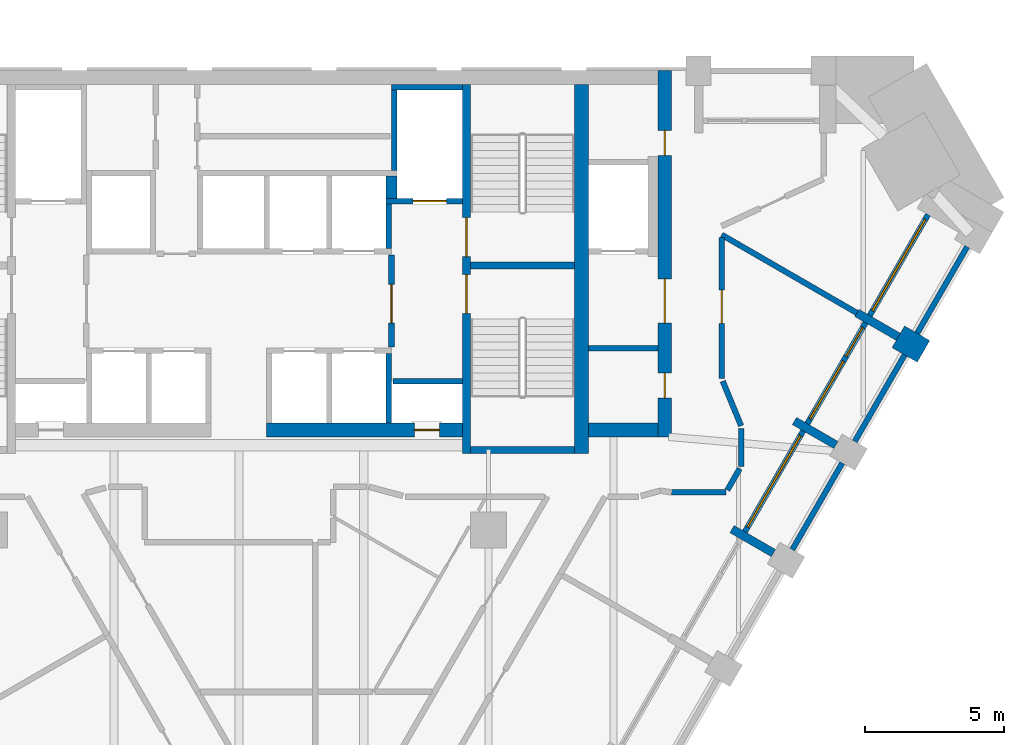
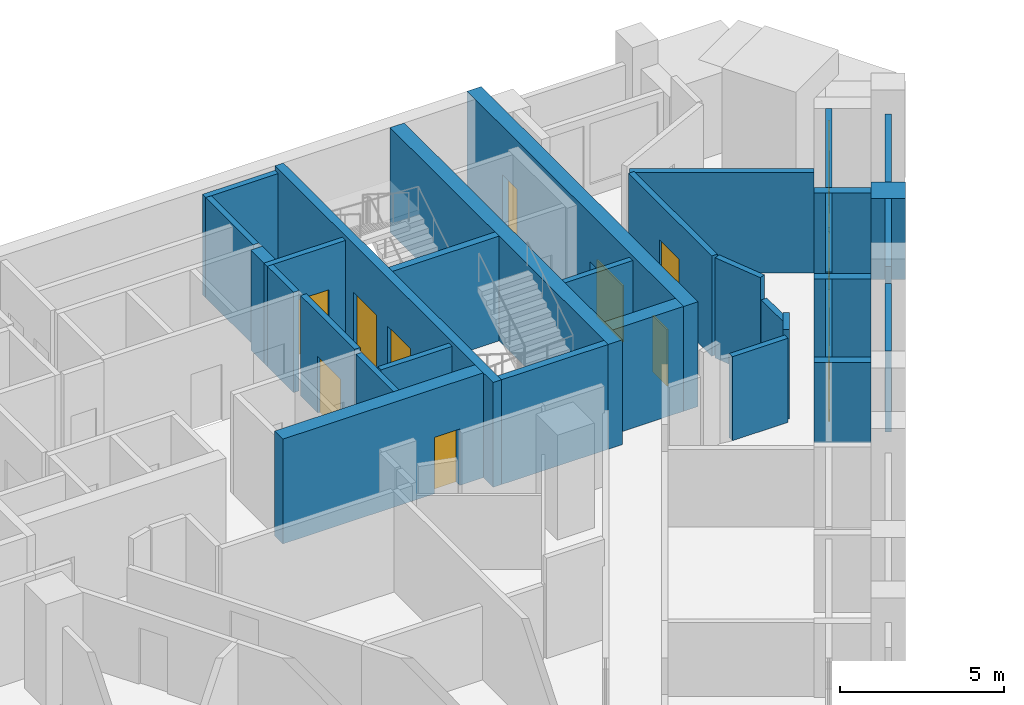
# One storey, part 7 of 10: 32 walls, 10 doors, 3 windows, 13 openings.
"""IFC4 building model written with IfcOpenShell, lengths in metres."""

import ifcopenshell
import ifcopenshell.guid

model = None  # the IFC model being written
_history = None  # IfcOwnerHistory: only IFC2X3 demands one
_inside = {}  # id of a spatial element -> (the spatial element, [elements in it])
_under = {}  # id of a project, library or spatial element -> (it, [spatial elements below it])
_declared = {}  # id of a project -> (the project, [libraries it declares])
_typed = {}  # id of a type object -> (the type object, [elements of that type])
_made_of = {}  # id of a material, layer set ... -> (it, [elements and type objects made of it])


def new_model(schema):
    """Start an empty IFC model of exactly this schema.

    Asked for "IFC4X3", IfcOpenShell would pick the latest addendum, in which some entities
    have other attributes; the version numbers below select the first issue.
    IFC2X3 requires an IfcOwnerHistory on every rooted entity: one is made here for all.
    """
    global model, _history
    if schema == "IFC4X3":
        model = ifcopenshell.file(schema_version=(4, 3, 0, 0))
    else:
        model = ifcopenshell.file(schema=schema)
    _inside.clear()
    _under.clear()
    _declared.clear()
    _typed.clear()
    _made_of.clear()
    _history = None
    if model.schema == "IFC2X3":
        org = make("IfcOrganization", Name="unknown")
        user = make(
            "IfcPersonAndOrganization",
            ThePerson=make("IfcPerson", FamilyName="unknown"),
            TheOrganization=org,
        )
        app = make(
            "IfcApplication",
            ApplicationDeveloper=org,
            Version="unknown",
            ApplicationFullName="unknown",
            ApplicationIdentifier="unknown",
        )
        _history = make(
            "IfcOwnerHistory",
            OwningUser=user,
            OwningApplication=app,
            ChangeAction="ADDED",
            CreationDate=0,
        )
    return model


def make(cls, **values):
    """One entity of the class cls with the attributes given. An attribute that is None is left unset."""
    return model.create_entity(
        cls, **{name: value for name, value in values.items() if value is not None}
    )


def rooted(cls, **values):
    """An entity with a GlobalId (a new one), such as an element, a storey or a relation."""
    return make(cls, GlobalId=ifcopenshell.guid.new(), OwnerHistory=_history, **values)


def si_unit(unit_type, name, prefix=None):
    """IfcSIUnit, for example si_unit("LENGTHUNIT", "METRE", prefix="MILLI")."""
    return make("IfcSIUnit", UnitType=unit_type, Prefix=prefix, Name=name)


def assignment(units):
    """IfcUnitAssignment: the units of a project."""
    return None if units is None else make("IfcUnitAssignment", Units=units)


def point(xyz):
    """IfcCartesianPoint."""
    return None if xyz is None else make("IfcCartesianPoint", Coordinates=xyz)


def direction(xyz):
    """IfcDirection."""
    return None if xyz is None else make("IfcDirection", DirectionRatios=xyz)


def frame(location, z_axis=None, x_axis=None):
    """IfcAxis2Placement3D, a coordinate frame: its origin and axes. An axis left out is left unset."""
    return make(
        "IfcAxis2Placement3D",
        Location=point(location),
        Axis=direction(z_axis),
        RefDirection=direction(x_axis),
    )


def frame_2d(location, x_axis=None):
    """IfcAxis2Placement2D, a coordinate frame in the plane: its origin and x axis."""
    return make(
        "IfcAxis2Placement2D", Location=point(location), RefDirection=direction(x_axis)
    )


def origin():
    """The frame at (0, 0, 0) with its axes left unset."""
    return frame((0.0, 0.0, 0.0))


def place(relative_to, where):
    """IfcLocalPlacement: puts the frame where relative to a parent placement (None: the world)."""
    return make(
        "IfcLocalPlacement", PlacementRelTo=relative_to, RelativePlacement=where
    )


def context(
    kind, dimensions, precision=None, world=None, true_north=None, identifier=None
):
    """IfcGeometricRepresentationContext, for example the 3D "Model" context."""
    return make(
        "IfcGeometricRepresentationContext",
        ContextIdentifier=identifier,
        ContextType=kind,
        CoordinateSpaceDimension=dimensions,
        Precision=precision,
        WorldCoordinateSystem=world,
        TrueNorth=true_north,
    )


def subcontext(parent, identifier, kind, view, scale=None):
    """IfcGeometricRepresentationSubContext, for example "Body" below "Model"."""
    return make(
        "IfcGeometricRepresentationSubContext",
        ContextIdentifier=identifier,
        ContextType=kind,
        ParentContext=parent,
        TargetScale=scale,
        TargetView=view,
    )


def project(units=None, contexts=None):
    """IfcProject with its units and contexts."""
    return rooted(
        "IfcProject",
        Name="project",
        RepresentationContexts=contexts,
        UnitsInContext=assignment(units),
    )


def spatial(cls, under=None, at=None, **own):
    """A site, building, storey or space (cls), placed at a placement, below another one or the project."""
    s = rooted(cls, ObjectPlacement=at, **own)
    if under is not None:
        _under.setdefault(under.id(), (under, []))[1].append(s)
    return s


def profile(cls, at=None, kind="AREA", **sizes):
    """A parametric profile (cls). Its sizes go by their IFC names, for example OverallWidth=200.0."""
    return make(cls, ProfileType=kind, Position=at, **sizes)


def rectangle(**sizes):
    """IfcRectangleProfileDef."""
    return profile("IfcRectangleProfileDef", **sizes)


def extrude(swept, where, along, depth):
    """IfcExtrudedAreaSolid: the profile swept, set in the frame where, extruded along a direction by depth."""
    return make(
        "IfcExtrudedAreaSolid",
        SweptArea=swept,
        Position=where,
        ExtrudedDirection=direction(along),
        Depth=depth,
    )


def shape(context_of_items, identifier, shape_type, items):
    """IfcShapeRepresentation: the items that make up one representation, for example the "Body"."""
    return make(
        "IfcShapeRepresentation",
        ContextOfItems=context_of_items,
        RepresentationIdentifier=identifier,
        RepresentationType=shape_type,
        Items=items,
    )


def material(Name=None, Category=None):
    """IfcMaterial."""
    return make("IfcMaterial", Name=Name, Category=Category)


def layer(
    of_material, thickness, ventilated=None, Name=None, Category=None, Priority=None
):
    """IfcMaterialLayer: one layer of a wall or slab, of a material (None: an air gap)."""
    return make(
        "IfcMaterialLayer",
        Material=of_material,
        LayerThickness=thickness,
        IsVentilated=ventilated,
        Name=Name,
        Category=Category,
        Priority=Priority,
    )


def layer_set(layers, Name=None):
    """IfcMaterialLayerSet."""
    return make("IfcMaterialLayerSet", MaterialLayers=layers, LayerSetName=Name)


def made_of(thing, what):
    """Note that an element or type object is made of a material, layer set ...; save() writes the relation."""
    if what is not None:
        _made_of.setdefault(what.id(), (what, []))[1].append(thing)
    return thing


def type_object(cls, material=None, **own):
    """A type object (cls), such as IfcWallType, which elements share."""
    return made_of(rooted(cls, **own), material)


def element(
    cls,
    number,
    at=None,
    inside=None,
    cuts=None,
    type_object=None,
    material=None,
    context=None,
    identifier="Body",
    shape_type=None,
    held_by="IfcProductDefinitionShape",
    body=None,
    shapes=None,
    **own,
):
    """One element of the class cls, such as IfcWall. Its Tag is "e" and its number.

    at: its placement. inside: the storey or other place that contains it. cuts: it is an
    opening in that element (IfcRelVoidsElement). A single representation is given by context,
    identifier, shape_type and body (its items); several are given by shapes. held_by: the class
    of the entity that holds the representations. save() writes the other relations.
    """
    e = rooted(cls, Tag="e%d" % number, ObjectPlacement=at, **own)
    if body is not None:
        shapes = [shape(context, identifier, shape_type, body)]
    if shapes is not None:
        e.Representation = make(held_by, Representations=shapes)
    if inside is not None:
        _inside.setdefault(inside.id(), (inside, []))[1].append(e)
    if cuts is not None:
        rooted(
            "IfcRelVoidsElement", RelatingBuildingElement=cuts, RelatedOpeningElement=e
        )
    if type_object is not None:
        _typed.setdefault(type_object.id(), (type_object, []))[1].append(e)
    return made_of(e, material)


def fill(opening, filler):
    """IfcRelFillsElement: the door or window that sits in an opening."""
    return rooted(
        "IfcRelFillsElement",
        RelatingOpeningElement=opening,
        RelatedBuildingElement=filler,
    )


def aggregate(whole, parts):
    """IfcRelAggregates: a whole, such as a stair, and the parts it consists of."""
    return rooted("IfcRelAggregates", RelatingObject=whole, RelatedObjects=parts)


def save(model, path):
    """Write the relations noted so far, then the file.

    IfcRelAggregates (storeys below a building ...), IfcRelContainedInSpatialStructure (elements
    in a storey), IfcRelDefinesByType, IfcRelAssociatesMaterial and IfcRelDeclares: one each for
    every whole, place, type object, material and project.
    """
    for whole, parts in _under.values():
        aggregate(whole, parts)
    for where, things in _inside.values():
        rooted(
            "IfcRelContainedInSpatialStructure",
            RelatedElements=things,
            RelatingStructure=where,
        )
    for kind, things in _typed.values():
        rooted("IfcRelDefinesByType", RelatedObjects=things, RelatingType=kind)
    for what, things in _made_of.values():
        rooted("IfcRelAssociatesMaterial", RelatedObjects=things, RelatingMaterial=what)
    for by, libraries in _declared.values():
        rooted("IfcRelDeclares", RelatingContext=by, RelatedDefinitions=libraries)
    model.write(path)


model = new_model("IFC4")

# Units and contexts
model_context = context("Model", 3, precision=1e-05, world=origin(), true_north=direction((0.0, 1.0)))
body_context = subcontext(model_context, "Body", "Model", "MODEL_VIEW")
ifc_project = project(units=[si_unit("LENGTHUNIT", "METRE"), si_unit("AREAUNIT", "SQUARE_METRE"), si_unit("VOLUMEUNIT", "CUBIC_METRE"), si_unit("PLANEANGLEUNIT", "RADIAN"), si_unit("MASSUNIT", "GRAM", prefix="KILO")], contexts=[model_context])

# Site, building, storey
site_placement = place(None, origin())
site = spatial("IfcSite", under=ifc_project, at=site_placement, CompositionType="ELEMENT")
building_placement = place(site_placement, origin())
building = spatial("IfcBuilding", under=site, at=building_placement, Name="Calabash Gate Tower", CompositionType="ELEMENT")
storey_placement = place(building_placement, frame((0.0, 0.0, 183.60009765625)))
storey = spatial("IfcBuildingStorey", under=building, at=storey_placement, Name="L43", CompositionType="ELEMENT", Elevation=183.60009765625)

# Walls
ifc_material_1 = material(Name="Terracotta brick masonry, exposed face", Category="masonry")
ifc_layer_1 = layer(ifc_material_1, 1.050048828125)
ifc_layer_set_1 = layer_set([ifc_layer_1], Name="Brick end wall 1050")
wall_type_1 = type_object("IfcWallType", Name="Brick end wall 1050", PredefinedType="SOLIDWALL", material=ifc_layer_set_1)
wall_1_placement = place(storey_placement, frame((24.67626953125, 8.93505859375, 0.0), z_axis=(0.0, 0.0, 1.0), x_axis=(-0.866030680601, 0.499990860175, 0.0)))
element("IfcWall", 1, at=wall_1_placement, inside=storey, type_object=wall_type_1, Name="Brick pier S12 SE4.7", PredefinedType="SOLIDWALL", context=body_context, shape_type="SweptSolid", body=[
    extrude(rectangle(XDim=1.0498046875, YDim=0.89990234375, at=frame_2d((0.52490234375, 0.0))), origin(), (0.0, 0.0, 1.0), 3.0),
])
ifc_material_2 = material(Name="Terracotta brick masonry, exposed face", Category="masonry")
ifc_layer_2 = layer(ifc_material_2, 0.300048828125)
ifc_layer_set_2 = layer_set([ifc_layer_2], Name="Brick loggia cheek wall 300")
wall_type_2 = type_object("IfcWallType", Name="Brick loggia cheek wall 300", PredefinedType="SOLIDWALL", material=ifc_layer_set_2)
wall_2_placement = place(storey_placement, frame((19.26708984375, 1.665771484375, 0.0), z_axis=(0.0, 0.0, 1.0), x_axis=(-0.866013532718, 0.500020560727, 0.0)))
element("IfcWall", 2, at=wall_2_placement, inside=storey, type_object=wall_type_2, Name="Loggia cheek S12 SE4.5", PredefinedType="SOLIDWALL", context=body_context, shape_type="SweptSolid", body=[
    extrude(rectangle(XDim=1.72509765625, YDim=0.300048828125, at=frame_2d((0.862548828125, 0.0))), origin(), (0.0, 0.0, 1.0), 3.0),
])
wall_3_placement = place(storey_placement, frame((21.51708984375, 5.56298828125, 0.0), z_axis=(0.0, 0.0, 1.0), x_axis=(-0.866013532718, 0.500020560727, 0.0)))
element("IfcWall", 3, at=wall_3_placement, inside=storey, type_object=wall_type_2, Name="Loggia cheek S12 SE4.6", PredefinedType="SOLIDWALL", context=body_context, shape_type="SweptSolid", body=[
    extrude(rectangle(XDim=1.72509765625, YDim=0.300048828125, at=frame_2d((0.862548828125, 0.0))), origin(), (0.0, 0.0, 1.0), 2.949951171875),
])
wall_4_placement = place(storey_placement, frame((23.76708984375, 9.4599609375, 0.0), z_axis=(0.0, 0.0, 1.0), x_axis=(-0.866013532718, 0.500020560727, 0.0)))
element("IfcWall", 4, at=wall_4_placement, inside=storey, type_object=wall_type_2, Name="Loggia cheek S12 SE4.7", PredefinedType="SOLIDWALL", context=body_context, shape_type="SweptSolid", body=[
    extrude(rectangle(XDim=1.72509765625, YDim=0.300048828125, at=frame_2d((0.862548828125, 0.0))), origin(), (0.0, 0.0, 1.0), 3.0),
])
ifc_material_3 = material(Name="Gypsum board on steel studs, mineral wool", Category="steel")
ifc_layer_3 = layer(ifc_material_3, 0.199951171875)
ifc_layer_set_3 = layer_set([ifc_layer_3], Name="Core partition 200 gypsum board")
wall_type_3 = type_object("IfcWallType", Name="Core partition 200 gypsum board", PredefinedType="PARTITIONING", material=ifc_layer_set_3)
wall_5_placement = place(storey_placement, frame((12.60009765625, 9.052490234375, 0.0), z_axis=(0.0, 0.0, 1.0), x_axis=(1.0, 0.0, 0.0)))
element("IfcWall", 5, at=wall_5_placement, inside=storey, type_object=wall_type_3, Name="Core partition", PredefinedType="PARTITIONING", context=body_context, shape_type="SweptSolid", body=[
    extrude(rectangle(XDim=2.5, YDim=0.199951171875, at=frame_2d((1.25, 0.0))), origin(), (0.0, 0.0, 1.0), 3.72998046875),
])
ifc_material_4 = material(Name="Concrete C70/85", Category="concrete")
ifc_layer_4 = layer(ifc_material_4, 0.25)
ifc_layer_set_4 = layer_set([ifc_layer_4], Name="Core wall 250 Concrete C70/85")
wall_type_4 = type_object("IfcWallType", Name="Core wall 250 Concrete C70/85", PredefinedType="SHEAR", material=ifc_layer_set_4)
for number, where, z_axis, x_axis, name in (
    (6, (8.35009765625, 12.027587890625, 0.0), (0.0, 0.0, 1.0), (1.0, 0.0, 0.0), "Core wall Z3-MIDE L43"),
    (7, (8.35009765625, 5.377685546875, 0.0), (0.0, 0.0, 1.0), (1.0, 0.0, 0.0), "Core wall Z3-SSE L43"),
):
    element("IfcWall", number, at=place(storey_placement, frame(where, z_axis=z_axis, x_axis=x_axis)), inside=storey, type_object=wall_type_4, Name=name, PredefinedType="SHEAR", context=body_context, shape_type="SweptSolid", body=[
        extrude(rectangle(XDim=3.75, YDim=0.25, at=frame_2d((1.875, 0.0))), origin(), (0.0, 0.0, 1.0), 3.89990234375),
    ])

# Wall, openings, doors
ifc_material_5 = material(Name="Concrete C70/85", Category="concrete")
ifc_layer_5 = layer(ifc_material_5, 0.300048828125)
ifc_layer_set_5 = layer_set([ifc_layer_5], Name="Core wall 300 Concrete C70/85")
wall_type_5 = type_object("IfcWallType", Name="Core wall 300 Concrete C70/85", PredefinedType="SHEAR", material=ifc_layer_set_5)
wall_6_placement = place(storey_placement, frame((8.199951171875, 5.252685546875, 0.0), z_axis=(0.0, 0.0, 1.0), x_axis=(0.0, 1.0, 0.0)))
wall_6 = element("IfcWall", 8, at=wall_6_placement, inside=storey, type_object=wall_type_5, Name="Core wall Z3-PARTE L43", PredefinedType="SHEAR", context=body_context, shape_type="SweptSolid", body=[
    extrude(rectangle(XDim=13.2998046875, YDim=0.300048828125, at=frame_2d((6.64990234375, 0.0))), origin(), (0.0, 0.0, 1.0), 3.89990234375),
])
opening_1_placement = place(wall_6_placement, frame((7.10009765625, 0.0, 0.0)))
opening_1 = element("IfcOpeningElement", 9, at=opening_1_placement, cuts=wall_6, Name="Opening O4-017", PredefinedType="OPENING", context=body_context, shape_type="SweptSolid", body=[
    extrude(rectangle(XDim=1.39990234375, YDim=2.10009765625, at=frame_2d((0.699951171875, 1.050048828125))), frame((0.0, 0.159912109375, 0.0), z_axis=(0.0, -1.0, 0.0), x_axis=(1.0, 0.0, 0.0)), (0.0, 0.0, 1.0), 0.320068359375),
])
opening_2_placement = place(wall_6_placement, frame((5.050048828125, 0.0, 0.0)))
opening_2 = element("IfcOpeningElement", 10, at=opening_2_placement, cuts=wall_6, Name="Opening O4-018", PredefinedType="OPENING", context=body_context, shape_type="SweptSolid", body=[
    extrude(rectangle(XDim=1.39990234375, YDim=2.10009765625, at=frame_2d((0.699951171875, 1.050048828125))), frame((0.0, 0.159912109375, 0.0), z_axis=(0.0, -1.0, 0.0), x_axis=(1.0, 0.0, 0.0)), (0.0, 0.0, 1.0), 0.320068359375),
])
ifc_material_6 = material(Name="Steel fire door set with fire-resisting glazing", Category="steel")
door_type_1 = type_object("IfcDoorType", Name="Fire door D05 1400x2100 FD90", OperationType="NOTDEFINED", PredefinedType="DOOR", material=ifc_material_6)
door_1_placement = place(opening_1_placement, origin())
door_1 = element("IfcDoor", 11, at=door_1_placement, inside=storey, type_object=door_type_1, Name="Exit stair door ST3", OperationType="SINGLE_SWING_RIGHT", OverallHeight=2.10009765625, OverallWidth=1.39990234375, PredefinedType="DOOR", context=body_context, shape_type="SweptSolid", body=[
    extrude(rectangle(XDim=1.39990234375, YDim=2.10009765625, at=frame_2d((0.699951171875, 1.050048828125))), frame((0.0, 0.02490234375, 0.0), z_axis=(0.0, -1.0, 0.0), x_axis=(1.0, 0.0, 0.0)), (0.0, 0.0, 1.0), 0.050048828125),
])
fill(opening_1, door_1)
door_2_placement = place(opening_2_placement, origin())
door_2 = element("IfcDoor", 12, at=door_2_placement, inside=storey, type_object=door_type_1, Name="Exit stair door ST4", OperationType="SINGLE_SWING_LEFT", OverallHeight=2.10009765625, OverallWidth=1.39990234375, PredefinedType="DOOR", context=body_context, shape_type="SweptSolid", body=[
    extrude(rectangle(XDim=1.39990234375, YDim=2.10009765625, at=frame_2d((0.699951171875, 1.050048828125))), frame((0.0, 0.02490234375, 0.0), z_axis=(0.0, -1.0, 0.0), x_axis=(1.0, 0.0, 0.0)), (0.0, 0.0, 1.0), 0.050048828125),
])
fill(opening_2, door_2)

# Wall
ifc_material_7 = material(Name="Concrete C70/85", Category="concrete")
ifc_layer_6 = layer(ifc_material_7, 0.5)
ifc_layer_set_6 = layer_set([ifc_layer_6], Name="Core wall 500 Concrete C70/85")
wall_type_6 = type_object("IfcWallType", Name="Core wall 500 Concrete C70/85", PredefinedType="SHEAR", material=ifc_layer_set_6)
wall_7_placement = place(storey_placement, frame((12.35009765625, 5.252685546875, 0.0), z_axis=(0.0, 0.0, 1.0), x_axis=(0.0, 1.0, 0.0)))
element("IfcWall", 13, at=wall_7_placement, inside=storey, type_object=wall_type_6, Name="Core wall Z3-COLE L43", PredefinedType="SHEAR", context=body_context, shape_type="SweptSolid", body=[
    extrude(rectangle(XDim=13.2998046875, YDim=0.5, at=frame_2d((6.64990234375, 0.0))), origin(), (0.0, 0.0, 1.0), 3.89990234375),
])

# Wall, opening, door
wall_8_placement = place(storey_placement, frame((1.0, 6.1025390625, 0.0), z_axis=(0.0, 0.0, 1.0), x_axis=(1.0, 0.0, 0.0)))
wall_8 = element("IfcWall", 14, at=wall_8_placement, inside=storey, type_object=wall_type_6, Name="Core wall Z3-SB L43", PredefinedType="SHEAR", context=body_context, shape_type="SweptSolid", body=[
    extrude(rectangle(XDim=7.050048828125, YDim=0.5, at=frame_2d((3.52490234375, 0.0))), origin(), (0.0, 0.0, 1.0), 3.89990234375),
])
opening_3_placement = place(wall_8_placement, frame((5.324951171875, 0.0, 0.0)))
opening_3 = element("IfcOpeningElement", 15, at=opening_3_placement, cuts=wall_8, Name="Opening O4-013", PredefinedType="OPENING", context=body_context, shape_type="SweptSolid", body=[
    extrude(rectangle(XDim=0.89990234375, YDim=2.10009765625, at=frame_2d((0.449951171875, 1.050048828125))), frame((0.0, 0.260009765625, 0.0), z_axis=(0.0, -1.0, 0.0), x_axis=(1.0, 0.0, 0.0)), (0.0, 0.0, 1.0), 0.52001953125),
])
ifc_material_8 = material(Name="Steel fire door set with fire-resisting glazing", Category="steel")
door_type_2 = type_object("IfcDoorType", Name="Fire door D07 900x2100 FD90", OperationType="NOTDEFINED", PredefinedType="DOOR", material=ifc_material_8)
door_3_placement = place(opening_3_placement, origin())
door_3 = element("IfcDoor", 16, at=door_3_placement, inside=storey, type_object=door_type_2, Name="Mechanical Riser E door", OperationType="SINGLE_SWING_RIGHT", OverallHeight=2.10009765625, OverallWidth=0.89990234375, PredefinedType="DOOR", context=body_context, shape_type="SweptSolid", body=[
    extrude(rectangle(XDim=0.89990234375, YDim=2.10009765625, at=frame_2d((0.449951171875, 1.050048828125))), frame((0.0, 0.02490234375, 0.0), z_axis=(0.0, -1.0, 0.0), x_axis=(1.0, 0.0, 0.0)), (0.0, 0.0, 1.0), 0.050048828125),
])
fill(opening_3, door_3)

# Wall
wall_9_placement = place(storey_placement, frame((12.60009765625, 6.1025390625, 0.0), z_axis=(0.0, 0.0, 1.0), x_axis=(1.0, 0.0, 0.0)))
element("IfcWall", 17, at=wall_9_placement, inside=storey, type_object=wall_type_6, Name="Core wall Z3-SE L43", PredefinedType="SHEAR", context=body_context, shape_type="SweptSolid", body=[
    extrude(rectangle(XDim=2.5, YDim=0.5, at=frame_2d((1.25, 0.0))), origin(), (0.0, 0.0, 1.0), 3.89990234375),
])

# Wall, openings, doors
wall_10_placement = place(storey_placement, frame((15.35009765625, 5.8525390625, 0.0), z_axis=(0.0, 0.0, 1.0), x_axis=(0.0, 1.0, 0.0)))
wall_10 = element("IfcWall", 18, at=wall_10_placement, inside=storey, type_object=wall_type_6, Name="Core wall Z3-ENDE L43", PredefinedType="SHEAR", context=body_context, shape_type="SweptSolid", body=[
    extrude(rectangle(XDim=13.199951171875, YDim=0.5, at=frame_2d((6.60009765625, 0.0))), origin(), (0.0, 0.0, 1.0), 3.89990234375),
])
opening_4_placement = place(wall_10_placement, frame((4.10009765625, 0.0, 0.0)))
opening_4 = element("IfcOpeningElement", 19, at=opening_4_placement, cuts=wall_10, Name="Opening O4-003", PredefinedType="OPENING", context=body_context, shape_type="SweptSolid", body=[
    extrude(rectangle(XDim=1.60009765625, YDim=2.10009765625, at=frame_2d((0.800048828125, 1.050048828125))), frame((0.0, 0.260009765625, 0.0), z_axis=(0.0, -1.0, 0.0), x_axis=(1.0, 0.0, 0.0)), (0.0, 0.0, 1.0), 0.52001953125),
])
opening_5_placement = place(wall_10_placement, frame((1.39990234375, 0.0, 0.0)))
opening_5 = element("IfcOpeningElement", 20, at=opening_5_placement, cuts=wall_10, Name="Opening O4-001", PredefinedType="OPENING", context=body_context, shape_type="SweptSolid", body=[
    extrude(rectangle(XDim=0.89990234375, YDim=2.10009765625, at=frame_2d((0.449951171875, 1.050048828125))), frame((0.0, 0.260009765625, 0.0), z_axis=(0.0, -1.0, 0.0), x_axis=(1.0, 0.0, 0.0)), (0.0, 0.0, 1.0), 0.52001953125),
])
opening_6_placement = place(wall_10_placement, frame((10.14990234375, 0.0, 0.0)))
opening_6 = element("IfcOpeningElement", 21, at=opening_6_placement, cuts=wall_10, Name="Opening O4-002", PredefinedType="OPENING", context=body_context, shape_type="SweptSolid", body=[
    extrude(rectangle(XDim=0.89990234375, YDim=2.10009765625, at=frame_2d((0.449951171875, 1.050048828125))), frame((0.0, 0.260009765625, 0.0), z_axis=(0.0, -1.0, 0.0), x_axis=(1.0, 0.0, 0.0)), (0.0, 0.0, 1.0), 0.52001953125),
])
ifc_material_9 = material(Name="Steel fire door set with fire-resisting glazing", Category="steel")
door_type_3 = type_object("IfcDoorType", Name="Double fire door D08 1600x2100 FD60", OperationType="DOUBLE_DOOR_SINGLE_SWING", PredefinedType="DOOR", material=ifc_material_9)
door_4_placement = place(opening_4_placement, origin())
door_4 = element("IfcDoor", 22, at=door_4_placement, inside=storey, type_object=door_type_3, Name="Service Lift Lobby E door", OperationType="DOUBLE_DOOR_SINGLE_SWING", OverallHeight=2.10009765625, OverallWidth=1.60009765625, PredefinedType="DOOR", context=body_context, shape_type="SweptSolid", body=[
    extrude(rectangle(XDim=1.60009765625, YDim=2.10009765625, at=frame_2d((0.800048828125, 1.050048828125))), frame((0.0, 0.02490234375, 0.0), z_axis=(0.0, -1.0, 0.0), x_axis=(1.0, 0.0, 0.0)), (0.0, 0.0, 1.0), 0.050048828125),
])
fill(opening_4, door_4)
ifc_material_10 = material(Name="Steel fire door set with fire-resisting glazing", Category="steel")
door_type_4 = type_object("IfcDoorType", Name="Fire door D06 900x2100 FD60", OperationType="NOTDEFINED", PredefinedType="DOOR", material=ifc_material_10)
door_5_placement = place(opening_5_placement, origin())
door_5 = element("IfcDoor", 23, at=door_5_placement, inside=storey, type_object=door_type_4, Name="Tenant Pantry door", OperationType="SINGLE_SWING_RIGHT", OverallHeight=2.10009765625, OverallWidth=0.89990234375, PredefinedType="DOOR", context=body_context, shape_type="SweptSolid", body=[
    extrude(rectangle(XDim=0.89990234375, YDim=2.10009765625, at=frame_2d((0.449951171875, 1.050048828125))), frame((0.0, 0.02490234375, 0.0), z_axis=(0.0, -1.0, 0.0), x_axis=(1.0, 0.0, 0.0)), (0.0, 0.0, 1.0), 0.050048828125),
])
fill(opening_5, door_5)
door_6_placement = place(opening_6_placement, origin())
door_6 = element("IfcDoor", 24, at=door_6_placement, inside=storey, type_object=door_type_4, Name="Cleaner's Store door", OperationType="SINGLE_SWING_LEFT", OverallHeight=2.10009765625, OverallWidth=0.89990234375, PredefinedType="DOOR", context=body_context, shape_type="SweptSolid", body=[
    extrude(rectangle(XDim=0.89990234375, YDim=2.10009765625, at=frame_2d((0.449951171875, 1.050048828125))), frame((0.0, 0.02490234375, 0.0), z_axis=(0.0, -1.0, 0.0), x_axis=(1.0, 0.0, 0.0)), (0.0, 0.0, 1.0), 0.050048828125),
])
fill(opening_6, door_6)

# Walls
ifc_material_11 = material(Name="Gypsum board on steel studs, mineral wool", Category="steel")
ifc_layer_7 = layer(ifc_material_11, 0.199951171875)
ifc_layer_set_7 = layer_set([ifc_layer_7], Name="Partition 200 gypsum board EI 60")
wall_type_7 = type_object("IfcWallType", Name="Partition 200 gypsum board EI 60", PredefinedType="PARTITIONING", material=ifc_layer_set_7)
wall_11_placement = place(storey_placement, frame((15.60009765625, 3.85205078125, 0.0), z_axis=(0.0, 0.0, 1.0), x_axis=(1.0, 0.0, 0.0)))
element("IfcWall", 25, at=wall_11_placement, inside=storey, type_object=wall_type_7, Name="Partition", PredefinedType="PARTITIONING", context=body_context, shape_type="SweptSolid", body=[
    extrude(rectangle(XDim=1.956298828125, YDim=0.199951171875, at=frame_2d((0.97802734375, 0.0))), origin(), (0.0, 0.0, 1.0), 3.1279296875),
])
wall_12_placement = place(storey_placement, frame((17.606201171875, 3.938720703125, 0.0), z_axis=(0.0, 0.0, 1.0), x_axis=(0.500071473339, 0.8659841347, 0.0)))
element("IfcWall", 26, at=wall_12_placement, inside=storey, type_object=wall_type_7, Name="Partition", PredefinedType="PARTITIONING", context=body_context, shape_type="SweptSolid", body=[
    extrude(rectangle(XDim=0.887939453125, YDim=0.199951171875, at=frame_2d((0.44384765625, 0.0))), origin(), (0.0, 0.0, 1.0), 3.33154296875),
])
wall_13_placement = place(storey_placement, frame((18.1005859375, 4.794189453125, 0.0), z_axis=(0.0, 0.0, 1.0), x_axis=(0.0, 1.0, 0.0)))
element("IfcWall", 27, at=wall_13_placement, inside=storey, type_object=wall_type_7, Name="Partition", PredefinedType="PARTITIONING", context=body_context, shape_type="SweptSolid", body=[
    extrude(rectangle(XDim=1.3583984375, YDim=0.199951171875, at=frame_2d((0.67919921875, 0.0))), origin(), (0.0, 0.0, 1.0), 2.949951171875),
])
wall_14_placement = place(storey_placement, frame((17.438720703125, 7.860107421875, 0.0), z_axis=(0.0, 0.0, 1.0), x_axis=(0.380742741509, -0.924681007044, 0.0)))
element("IfcWall", 28, at=wall_14_placement, inside=storey, type_object=wall_type_7, Name="Partition", PredefinedType="PARTITIONING", context=body_context, shape_type="SweptSolid", body=[
    extrude(rectangle(XDim=1.73828125, YDim=0.199951171875, at=frame_2d((0.869140625, 0.0))), origin(), (0.0, 0.0, 1.0), 3.72998046875),
])

# Wall, opening, door
wall_15_placement = place(storey_placement, frame((17.400390625, 7.95263671875, 0.0), z_axis=(0.0, 0.0, 1.0), x_axis=(0.000336263612, 0.999999943463, 0.0)))
wall_15 = element("IfcWall", 29, at=wall_15_placement, inside=storey, type_object=wall_type_7, Name="Partition", PredefinedType="PARTITIONING", context=body_context, shape_type="SweptSolid", body=[
    extrude(rectangle(XDim=5.082275390625, YDim=0.199951171875, at=frame_2d((2.541015625, 0.0))), origin(), (0.0, 0.0, 1.0), 3.72998046875),
])
opening_7_placement = place(wall_15_placement, frame((1.992431640625, 0.0, 0.0)))
opening_7 = element("IfcOpeningElement", 30, at=opening_7_placement, cuts=wall_15, Name="Opening 42-44-009", PredefinedType="OPENING", context=body_context, shape_type="SweptSolid", body=[
    extrude(rectangle(XDim=1.199951171875, YDim=2.39990234375, at=frame_2d((0.60009765625, 1.199951171875))), frame((0.0, 0.10986328125, 0.0), z_axis=(0.0, -1.0, 0.0), x_axis=(1.0, 0.0, 0.0)), (0.0, 0.0, 1.0), 0.219970703125),
])
ifc_material_12 = material(Name="Steel fire door set with fire-resisting glazing", Category="steel")
door_type_5 = type_object("IfcDoorType", Name="OD3 Boardroom door 1200x2400", OperationType="NOTDEFINED", PredefinedType="DOOR", material=ifc_material_12)
door_7_placement = place(opening_7_placement, origin())
door_7 = element("IfcDoor", 31, at=door_7_placement, inside=storey, type_object=door_type_5, Name="Boardroom door", OperationType="SINGLE_SWING_RIGHT", OverallHeight=2.39990234375, OverallWidth=1.199951171875, PredefinedType="DOOR", context=body_context, shape_type="SweptSolid", body=[
    extrude(rectangle(XDim=1.199951171875, YDim=2.39990234375, at=frame_2d((0.60009765625, 1.199951171875))), frame((0.0, 0.02490234375, 0.0), z_axis=(0.0, -1.0, 0.0), x_axis=(1.0, 0.0, 0.0)), (0.0, 0.0, 1.0), 0.050048828125),
])
fill(opening_7, door_7)

# Walls
wall_16_placement = place(storey_placement, frame((17.400634765625, 13.1376953125, 0.0), z_axis=(0.0, 0.0, 1.0), x_axis=(0.865889294905, -0.500235673427, 0.0)))
element("IfcWall", 32, at=wall_16_placement, inside=storey, type_object=wall_type_7, Name="Partition", PredefinedType="PARTITIONING", context=body_context, shape_type="SweptSolid", body=[
    extrude(rectangle(XDim=5.627197265625, YDim=0.199951171875, at=frame_2d((2.8134765625, 0.0))), origin(), (0.0, 0.0, 1.0), 3.72998046875),
])
ifc_material_13 = material(Name="Concrete C40/50", Category="concrete")
ifc_layer_8 = layer(ifc_material_13, 0.199951171875)
ifc_layer_set_8 = layer_set([ifc_layer_8], Name="Shaft wall 200 Concrete C40/50")
wall_type_8 = type_object("IfcWallType", Name="Shaft wall 200 Concrete C40/50", PredefinedType="SOLIDWALL", material=ifc_layer_set_8)
for number, where, z_axis, x_axis, name in (
    (33, (5.39990234375, 6.3525390625, 0.0), (0.0, 0.0, 1.0), (0.0, 1.0, 0.0), "Shaft wall"),
    (34, (5.550048828125, 7.8525390625, 0.0), (0.0, 0.0, 1.0), (1.0, 0.0, 0.0), "Shaft wall"),
):
    element("IfcWall", number, at=place(storey_placement, frame(where, z_axis=z_axis, x_axis=x_axis)), inside=storey, type_object=wall_type_8, Name=name, PredefinedType="SOLIDWALL", context=body_context, shape_type="SweptSolid", body=[
        extrude(rectangle(XDim=2.5, YDim=0.199951171875, at=frame_2d((1.25, 0.0))), origin(), (0.0, 0.0, 1.0), 3.72998046875),
    ])

# Wall, opening, door
wall_17_placement = place(storey_placement, frame((5.5, 9.1025390625, 0.0), z_axis=(0.0, 0.0, 1.0), x_axis=(0.0, 1.0, 0.0)))
wall_17 = element("IfcWall", 35, at=wall_17_placement, inside=storey, type_object=wall_type_8, Name="Shaft wall", PredefinedType="SOLIDWALL", context=body_context, shape_type="SweptSolid", body=[
    extrude(rectangle(XDim=3.300048828125, YDim=0.199951171875, at=frame_2d((1.64990234375, 0.0))), origin(), (0.0, 0.0, 1.0), 3.72998046875),
])
opening_8_placement = place(wall_17_placement, frame((0.85009765625, 0.0, 0.0)))
opening_8 = element("IfcOpeningElement", 36, at=opening_8_placement, cuts=wall_17, Name="Opening O4-008", PredefinedType="OPENING", context=body_context, shape_type="SweptSolid", body=[
    extrude(rectangle(XDim=1.39990234375, YDim=2.10009765625, at=frame_2d((0.699951171875, 1.050048828125))), frame((0.0, 0.10986328125, 0.0), z_axis=(0.0, -1.0, 0.0), x_axis=(1.0, 0.0, 0.0)), (0.0, 0.0, 1.0), 0.219970703125),
])
door_8_placement = place(opening_8_placement, origin())
door_8 = element("IfcDoor", 37, at=door_8_placement, inside=storey, type_object=door_type_1, Name="Firefighting Lobby E door", OperationType="SINGLE_SWING_LEFT", OverallHeight=2.10009765625, OverallWidth=1.39990234375, PredefinedType="DOOR", context=body_context, shape_type="SweptSolid", body=[
    extrude(rectangle(XDim=1.39990234375, YDim=2.10009765625, at=frame_2d((0.699951171875, 1.050048828125))), frame((0.0, 0.02490234375, 0.0), z_axis=(0.0, -1.0, 0.0), x_axis=(1.0, 0.0, 0.0)), (0.0, 0.0, 1.0), 0.050048828125),
])
fill(opening_8, door_8)

# Wall
wall_18_placement = place(storey_placement, frame((5.39990234375, 12.652587890625, 0.0), z_axis=(0.0, 0.0, 1.0), x_axis=(0.0, 1.0, 0.0)))
element("IfcWall", 38, at=wall_18_placement, inside=storey, type_object=wall_type_8, Name="Shaft wall", PredefinedType="SOLIDWALL", context=body_context, shape_type="SweptSolid", body=[
    extrude(rectangle(XDim=1.60009765625, YDim=0.199951171875, at=frame_2d((0.800048828125, 0.0))), origin(), (0.0, 0.0, 1.0), 3.72998046875),
])

# Wall, opening, door
wall_19_placement = place(storey_placement, frame((5.300048828125, 14.3525390625, 0.0), z_axis=(0.0, 0.0, 1.0), x_axis=(1.0, 0.0, 0.0)))
wall_19 = element("IfcWall", 39, at=wall_19_placement, inside=storey, type_object=wall_type_8, Name="Shaft wall", PredefinedType="SOLIDWALL", context=body_context, shape_type="SweptSolid", body=[
    extrude(rectangle(XDim=2.75, YDim=0.199951171875, at=frame_2d((1.375, 0.0))), origin(), (0.0, 0.0, 1.0), 3.72998046875),
])
opening_9_placement = place(wall_19_placement, frame((0.97509765625, 0.0, 0.0)))
opening_9 = element("IfcOpeningElement", 40, at=opening_9_placement, cuts=wall_19, Name="Opening LD-FF2", PredefinedType="OPENING", context=body_context, shape_type="SweptSolid", body=[
    extrude(rectangle(XDim=1.199951171875, YDim=2.10009765625, at=frame_2d((0.60009765625, 1.050048828125))), frame((0.0, 0.10986328125, 0.0), z_axis=(0.0, -1.0, 0.0), x_axis=(1.0, 0.0, 0.0)), (0.0, 0.0, 1.0), 0.219970703125),
])
ifc_material_14 = material(Name="Stainless steel sliding door leaves", Category="steel")
door_type_6 = type_object("IfcDoorType", Name="Lift landing door LS3 1200x2100 FD90", OperationType="DOUBLE_DOOR_SLIDING", PredefinedType="DOOR", material=ifc_material_14)
door_9_placement = place(opening_9_placement, origin())
door_9 = element("IfcDoor", 41, at=door_9_placement, inside=storey, type_object=door_type_6, Name="Lift landing door FF2", OperationType="DOUBLE_DOOR_SLIDING", OverallHeight=2.10009765625, OverallWidth=1.199951171875, PredefinedType="DOOR", context=body_context, shape_type="SweptSolid", body=[
    extrude(rectangle(XDim=1.199951171875, YDim=2.10009765625, at=frame_2d((0.60009765625, 1.050048828125))), frame((0.0, 0.02490234375, 0.0), z_axis=(0.0, -1.0, 0.0), x_axis=(1.0, 0.0, 0.0)), (0.0, 0.0, 1.0), 0.050048828125),
])
fill(opening_9, door_9)

# Walls
wall_20_placement = place(storey_placement, frame((5.5, 14.45263671875, 0.0), z_axis=(0.0, 0.0, 1.0), x_axis=(0.0, 1.0, 0.0)))
element("IfcWall", 42, at=wall_20_placement, inside=storey, type_object=wall_type_8, Name="Shaft wall", PredefinedType="SOLIDWALL", context=body_context, shape_type="SweptSolid", body=[
    extrude(rectangle(XDim=0.800048828125, YDim=0.39990234375, at=frame_2d((0.39990234375, 0.0))), origin(), (0.0, 0.0, 1.0), 3.72998046875),
])
wall_21_placement = place(storey_placement, frame((5.60009765625, 15.45263671875, 0.0), z_axis=(0.0, 0.0, 1.0), x_axis=(0.0, 1.0, 0.0)))
element("IfcWall", 43, at=wall_21_placement, inside=storey, type_object=wall_type_8, Name="Shaft wall", PredefinedType="SOLIDWALL", context=body_context, shape_type="SweptSolid", body=[
    extrude(rectangle(XDim=2.89990234375, YDim=0.199951171875, at=frame_2d((1.449951171875, 0.0))), origin(), (0.0, 0.0, 1.0), 3.72998046875),
])
wall_22_placement = place(storey_placement, frame((5.5, 18.45263671875, 0.0), z_axis=(0.0, 0.0, 1.0), x_axis=(1.0, 0.0, 0.0)))
element("IfcWall", 44, at=wall_22_placement, inside=storey, type_object=wall_type_8, Name="Shaft wall", PredefinedType="SOLIDWALL", context=body_context, shape_type="SweptSolid", body=[
    extrude(rectangle(XDim=2.550048828125, YDim=0.199951171875, at=frame_2d((1.27490234375, 0.0))), origin(), (0.0, 0.0, 1.0), 3.72998046875),
])
ifc_material_15 = material(Name="Terracotta brick masonry, perforated", Category="masonry")
ifc_layer_9 = layer(ifc_material_15, 0.199951171875)
ifc_layer_set_9 = layer_set([ifc_layer_9], Name="Terracotta jaali screen B")
wall_type_9 = type_object("IfcWallType", Name="Terracotta jaali screen B", PredefinedType="SOLIDWALL", material=ifc_layer_set_9)
for number, where, z_axis, x_axis, name in (
    (45, (19.94677734375, 1.79296875, 0.0), (0.0, 0.0, 1.0), (0.499961193289, 0.866047807691, 0.0), "SCREEN B S12 SE4.6"),
    (46, (22.19677734375, 5.690185546875, 0.0), (0.0, 0.0, 1.0), (0.499961193289, 0.866047807691, 0.0), "SCREEN B S12 SE4.7"),
):
    element("IfcWall", number, at=place(storey_placement, frame(where, z_axis=z_axis, x_axis=x_axis)), inside=storey, type_object=wall_type_9, Name=name, PredefinedType="SOLIDWALL", context=body_context, shape_type="SweptSolid", body=[
        extrude(rectangle(XDim=3.599853515625, YDim=0.199951171875, at=frame_2d((1.7998046875, 0.0))), origin(), (0.0, 0.0, 1.0), 3.0),
    ])
wall_23_placement = place(storey_placement, frame((24.44677734375, 9.587158203125, 0.0), z_axis=(0.0, 0.0, 1.0), x_axis=(0.499931829785, 0.866064758299, 0.0)))
element("IfcWall", 47, at=wall_23_placement, inside=storey, type_object=wall_type_9, Name="SCREEN B S12 SE4.8", PredefinedType="SOLIDWALL", context=body_context, shape_type="SweptSolid", body=[
    extrude(rectangle(XDim=3.60009765625, YDim=0.199951171875, at=frame_2d((1.800048828125, 0.0))), origin(), (0.0, 0.0, 1.0), 3.0),
])

# Wall, opening, window
ifc_material_16 = material(Name="Aluminium framed window wall with insulated spandrel", Category="aluminium")
ifc_layer_10 = layer(ifc_material_16, 0.199951171875)
ifc_layer_set_10 = layer_set([ifc_layer_10], Name="Window wall 200")
wall_type_10 = type_object("IfcWallType", Name="Window wall 200", PredefinedType="ELEMENTEDWALL", material=ifc_layer_set_10)
wall_24_placement = place(storey_placement, frame((18.23779296875, 2.433349609375, 0.0), z_axis=(0.0, 0.0, 1.0), x_axis=(0.500027713859, 0.866009402589, 0.0)))
wall_24 = element("IfcWall", 48, at=wall_24_placement, inside=storey, type_object=wall_type_10, Name="Window wall S12 SE4.6", PredefinedType="ELEMENTEDWALL", context=body_context, shape_type="SweptSolid", body=[
    extrude(rectangle(XDim=4.199951171875, YDim=0.199951171875, at=frame_2d((2.10009765625, 0.0))), origin(), (0.0, 0.0, 1.0), 2.949951171875),
])
opening_10_placement = place(wall_24_placement, frame((0.199951171875, 0.0, 0.449951171875)))
opening_10 = element("IfcOpeningElement", 49, at=opening_10_placement, cuts=wall_24, Name="Opening OW2", PredefinedType="OPENING", context=body_context, shape_type="SweptSolid", body=[
    extrude(rectangle(XDim=3.800048828125, YDim=2.25, at=frame_2d((1.89990234375, 1.125))), frame((0.0, 0.10986328125, 0.0), z_axis=(0.0, -1.0, 0.0), x_axis=(1.0, 0.0, 0.0)), (0.0, 0.0, 1.0), 0.219970703125),
])
ifc_material_17 = material(Name="Anodised aluminium frame, bronze finish, impact-rated laminated clear glazing", Category="aluminium")
window_type_1 = type_object("IfcWindowType", Name="Window OW2 3800x2250", PartitioningType="TRIPLE_PANEL_VERTICAL", PredefinedType="WINDOW", material=ifc_material_17)
window_1_placement = place(opening_10_placement, origin())
window_1 = element("IfcWindow", 50, at=window_1_placement, inside=storey, type_object=window_type_1, Name="Window OW2 S12 SE4.6", OverallHeight=2.25, OverallWidth=3.800048828125, PartitioningType="SINGLE_PANEL", PredefinedType="WINDOW", context=body_context, shape_type="SweptSolid", body=[
    extrude(rectangle(XDim=3.800048828125, YDim=2.25, at=frame_2d((1.89990234375, 1.125))), frame((0.0, 0.030029296875, 0.0), z_axis=(0.0, -1.0, 0.0), x_axis=(1.0, 0.0, 0.0)), (0.0, 0.0, 1.0), 0.06005859375),
])
fill(opening_10, window_1)

# Wall, openings, door, window
wall_25_placement = place(storey_placement, frame((20.48779296875, 6.330322265625, 0.0), z_axis=(0.0, 0.0, 1.0), x_axis=(0.500002543286, 0.866023935413, 0.0)))
wall_25 = element("IfcWall", 51, at=wall_25_placement, inside=storey, type_object=wall_type_10, Name="Window wall S12 SE4.7", PredefinedType="ELEMENTEDWALL", context=body_context, shape_type="SweptSolid", body=[
    extrude(rectangle(XDim=4.2001953125, YDim=0.199951171875, at=frame_2d((2.10009765625, 0.0))), origin(), (0.0, 0.0, 1.0), 3.0),
])
opening_11_placement = place(wall_25_placement, frame((0.199951171875, 0.0, 0.449951171875)))
opening_11 = element("IfcOpeningElement", 52, at=opening_11_placement, cuts=wall_25, Name="Opening OW1", PredefinedType="OPENING", context=body_context, shape_type="SweptSolid", body=[
    extrude(rectangle(XDim=2.39990234375, YDim=2.25, at=frame_2d((1.199951171875, 1.125))), frame((0.0, 0.10986328125, 0.0), z_axis=(0.0, -1.0, 0.0), x_axis=(1.0, 0.0, 0.0)), (0.0, 0.0, 1.0), 0.219970703125),
])
opening_12_placement = place(wall_25_placement, frame((2.800048828125, 0.0, 0.0)))
opening_12 = element("IfcOpeningElement", 53, at=opening_12_placement, cuts=wall_25, Name="Opening O4-024", PredefinedType="OPENING", context=body_context, shape_type="SweptSolid", body=[
    extrude(rectangle(XDim=1.199951171875, YDim=2.699951171875, at=frame_2d((0.60009765625, 1.35009765625))), frame((0.0, 0.10986328125, 0.0), z_axis=(0.0, -1.0, 0.0), x_axis=(1.0, 0.0, 0.0)), (0.0, 0.0, 1.0), 0.219970703125),
])
ifc_material_18 = material(Name="Anodised aluminium frame, bronze finish, impact-rated laminated clear glazing", Category="aluminium")
door_type_7 = type_object("IfcDoorType", Name="Loggia door DO1 1200x2700", OperationType="SLIDING_TO_LEFT", PredefinedType="DOOR", material=ifc_material_18)
door_10_placement = place(opening_12_placement, origin())
door_10 = element("IfcDoor", 54, at=door_10_placement, inside=storey, type_object=door_type_7, Name="Loggia door S12 SE4.7", OperationType="SINGLE_SWING_LEFT", OverallHeight=2.699951171875, OverallWidth=1.199951171875, PredefinedType="DOOR", context=body_context, shape_type="SweptSolid", body=[
    extrude(rectangle(XDim=1.199951171875, YDim=2.699951171875, at=frame_2d((0.60009765625, 1.35009765625))), frame((0.0, 0.02490234375, 0.0), z_axis=(0.0, -1.0, 0.0), x_axis=(1.0, 0.0, 0.0)), (0.0, 0.0, 1.0), 0.050048828125),
])
fill(opening_12, door_10)
ifc_material_19 = material(Name="Anodised aluminium frame, bronze finish, impact-rated laminated clear glazing", Category="aluminium")
window_type_2 = type_object("IfcWindowType", Name="Window OW1 2400x2250", PartitioningType="DOUBLE_PANEL_VERTICAL", PredefinedType="WINDOW", material=ifc_material_19)
window_2_placement = place(opening_11_placement, origin())
window_2 = element("IfcWindow", 55, at=window_2_placement, inside=storey, type_object=window_type_2, Name="Window OW1 S12 SE4.7", OverallHeight=2.25, OverallWidth=2.39990234375, PartitioningType="SINGLE_PANEL", PredefinedType="WINDOW", context=body_context, shape_type="SweptSolid", body=[
    extrude(rectangle(XDim=2.39990234375, YDim=2.25, at=frame_2d((1.199951171875, 1.125))), frame((0.0, 0.030029296875, 0.0), z_axis=(0.0, -1.0, 0.0), x_axis=(1.0, 0.0, 0.0)), (0.0, 0.0, 1.0), 0.06005859375),
])
fill(opening_11, window_2)

# Wall, opening, window
wall_26_placement = place(storey_placement, frame((22.73779296875, 10.2275390625, 0.0), z_axis=(0.0, 0.0, 1.0), x_axis=(0.500027713859, 0.866009402589, 0.0)))
wall_26 = element("IfcWall", 56, at=wall_26_placement, inside=storey, type_object=wall_type_10, Name="Window wall S12 SE4.8", PredefinedType="ELEMENTEDWALL", context=body_context, shape_type="SweptSolid", body=[
    extrude(rectangle(XDim=4.199951171875, YDim=0.199951171875, at=frame_2d((2.10009765625, 0.0))), origin(), (0.0, 0.0, 1.0), 3.0),
])
opening_13_placement = place(wall_26_placement, frame((0.199951171875, 0.0, 0.449951171875)))
opening_13 = element("IfcOpeningElement", 57, at=opening_13_placement, cuts=wall_26, Name="Opening OW2", PredefinedType="OPENING", context=body_context, shape_type="SweptSolid", body=[
    extrude(rectangle(XDim=3.800048828125, YDim=2.25, at=frame_2d((1.89990234375, 1.125))), frame((0.0, 0.10986328125, 0.0), z_axis=(0.0, -1.0, 0.0), x_axis=(1.0, 0.0, 0.0)), (0.0, 0.0, 1.0), 0.219970703125),
])
window_3_placement = place(opening_13_placement, origin())
window_3 = element("IfcWindow", 58, at=window_3_placement, inside=storey, type_object=window_type_1, Name="Window OW2 S12 SE4.8", OverallHeight=2.25, OverallWidth=3.800048828125, PartitioningType="SINGLE_PANEL", PredefinedType="WINDOW", context=body_context, shape_type="SweptSolid", body=[
    extrude(rectangle(XDim=3.800048828125, YDim=2.25, at=frame_2d((1.89990234375, 1.125))), frame((0.0, 0.030029296875, 0.0), z_axis=(0.0, -1.0, 0.0), x_axis=(1.0, 0.0, 0.0)), (0.0, 0.0, 1.0), 0.06005859375),
])
fill(opening_13, window_3)

save(model, "model.ifc")
